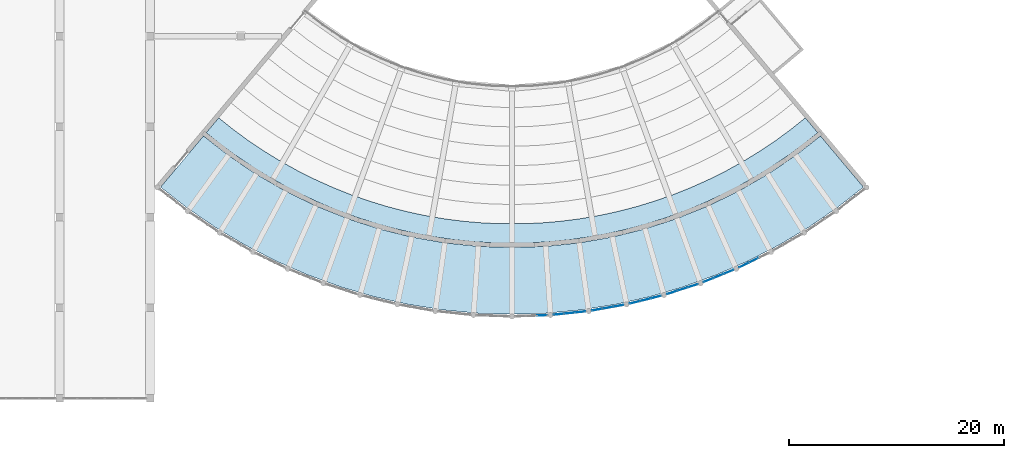
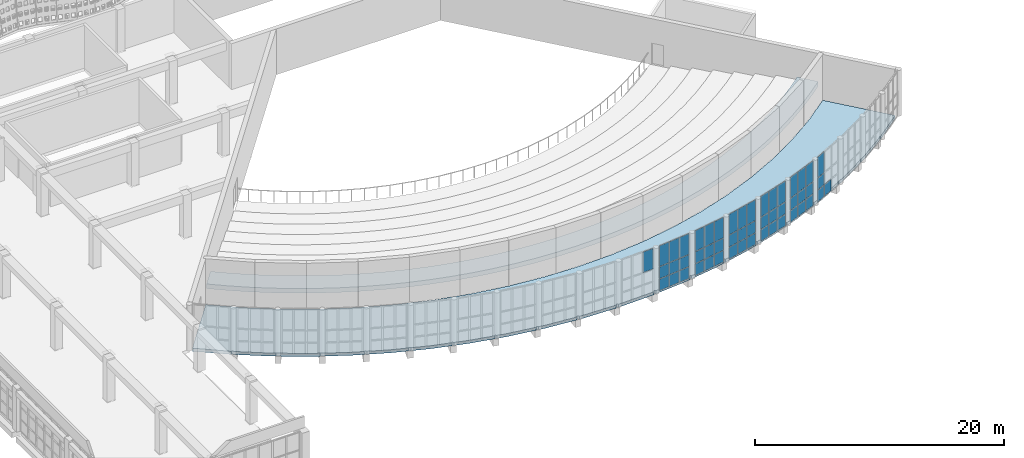
# One storey, part 71 of 162: 50 plates, 2 slabs, 7 elements without a shape of their own.
"""IFC4 building model written with IfcOpenShell, lengths in metres."""

from ifc_helpers import new_model, si_unit, direction, frame, origin, origin_2d, place, context, subcontext, project, spatial, polyline, rectangle, outline, extrude, material, layer, layer_set, type_object, element, aggregate, save


model = new_model("IFC4")

# Units and contexts
model_context = context("Model", 3, precision=1e-05, world=origin(), true_north=direction((0.0, 1.0)))
body_context = subcontext(model_context, "Body", "Model", "MODEL_VIEW")
ifc_project = project(units=[si_unit("LENGTHUNIT", "METRE"), si_unit("AREAUNIT", "SQUARE_METRE"), si_unit("VOLUMEUNIT", "CUBIC_METRE"), si_unit("PLANEANGLEUNIT", "RADIAN"), si_unit("MASSUNIT", "GRAM", prefix="KILO")], contexts=[model_context])

# Site, building, storey
site_placement = place(None, origin())
site = spatial("IfcSite", under=ifc_project, at=site_placement, CompositionType="ELEMENT")
building_placement = place(site_placement, origin())
building = spatial("IfcBuilding", under=site, at=building_placement, Name="Rain Tree Exposition and Congress Centre", CompositionType="ELEMENT")
storey_placement = place(building_placement, frame((0.0, 0.0, 6.0)))
storey = spatial("IfcBuildingStorey", under=building, at=storey_placement, Name="L01", CompositionType="ELEMENT", Elevation=6.0)

# Slabs
ifc_material_1 = material(Name="Precast concrete C50/60", Category="concrete")
ifc_layer_1 = layer(ifc_material_1, 0.449951171875)
ifc_layer_set_1 = layer_set([ifc_layer_1], Name="Precast concrete C50/60")
slab_type_1 = type_object("IfcSlabType", Name="Balcony step slab 450", PredefinedType="FLOOR", material=ifc_layer_set_1)
slab_1_placement = place(storey_placement, frame((0.0, 0.0, 1.300048828125)))
element("IfcSlab", 1, at=slab_1_placement, inside=storey, type_object=slab_type_1, Name="Upper tier row 8", ObjectType="SEATING TIER", PredefinedType="USERDEFINED", context=body_context, shape_type="SweptSolid", body=[
    extrude(outline(polyline([(228.71923828125, 32.044677734375), (229.98388671875, 33.062255859375), (228.826904296875, 34.441162109375), (227.577880859375, 33.4375), (226.126708984375, 32.368896484375), (224.63134765625, 31.362548828125), (223.0947265625, 30.42041015625), (221.52001953125, 29.544189453125), (219.9091796875, 28.7353515625), (218.265869140625, 27.995361328125), (216.5927734375, 27.325439453125), (214.892578125, 26.72705078125), (213.168701171875, 26.200927734375), (211.42431640625, 25.748291015625), (209.662109375, 25.369873046875), (207.885498046875, 25.06640625), (206.09765625, 24.838134765625), (204.302001953125, 24.685791015625), (202.501220703125, 24.609619140625), (200.69873046875, 24.609619140625), (198.898193359375, 24.685791015625), (197.102294921875, 24.838134765625), (195.314453125, 25.06640625), (193.537841796875, 25.369873046875), (191.77587890625, 25.748291015625), (190.03125, 26.200927734375), (188.307373046875, 26.72705078125), (186.607421875, 27.325439453125), (184.93408203125, 27.995361328125), (183.290771484375, 28.7353515625), (181.68017578125, 29.544189453125), (180.105224609375, 30.42041015625), (178.568603515625, 31.362548828125), (177.073486328125, 32.368896484375), (175.6220703125, 33.4375), (174.373291015625, 34.441162109375), (173.216064453125, 33.062255859375), (174.480712890625, 32.044677734375), (175.94677734375, 30.9609375), (177.456298828125, 29.938232421875), (179.00634765625, 28.978515625), (180.594482421875, 28.0830078125), (182.21826171875, 27.253662109375), (183.87451171875, 26.49169921875), (185.560791015625, 25.798095703125), (187.274169921875, 25.1748046875), (189.01171875, 24.621826171875), (190.770263671875, 24.14111328125), (192.547119140625, 23.732666015625), (194.33935546875, 23.397705078125), (196.143798828125, 23.136474609375), (197.95751953125, 22.94970703125), (199.777099609375, 22.83740234375), (201.60009765625, 22.800048828125), (203.4228515625, 22.83740234375), (205.24267578125, 22.94970703125), (207.05615234375, 23.136474609375), (208.860595703125, 23.397705078125), (210.65283203125, 23.732666015625), (212.4296875, 24.14111328125), (214.1884765625, 24.621826171875), (215.92578125, 25.1748046875), (217.63916015625, 25.798095703125), (219.325439453125, 26.49169921875), (220.981689453125, 27.253662109375), (222.60546875, 28.0830078125), (224.193603515625, 28.978515625), (225.74365234375, 29.938232421875), (227.253173828125, 30.9609375), (228.71923828125, 32.044677734375)])), origin(), (0.0, 0.0, 1.0), 0.449951171875),
])
ifc_material_2 = material(Name="Precast concrete C50/60", Category="concrete")
ifc_layer_2 = layer(ifc_material_2, 0.300048828125)
ifc_layer_set_2 = layer_set([ifc_layer_2], Name="Precast concrete C50/60")
slab_type_2 = type_object("IfcSlabType", Name="Foyer floor slab 300", PredefinedType="FLOOR", material=ifc_layer_set_2)
slab_2_placement = place(storey_placement, frame((0.0, 0.0, -0.300048828125)))
element("IfcSlab", 2, at=slab_2_placement, inside=storey, type_object=slab_type_2, Name="Promenade floor L01", PredefinedType="FLOOR", context=body_context, shape_type="SweptSolid", body=[
    extrude(outline(polyline([(177.859619140625, 29.20751953125), (175.26708984375, 30.9560546875), (172.960693359375, 32.758056640625), (168.977294921875, 28.010498046875), (168.99609375, 27.99169921875), (171.36181640625, 26.13134765625), (171.46630859375, 26.059326171875), (171.50537109375, 26.098388671875), (171.716796875, 25.88671875), (174.02734375, 24.296142578125), (174.42578125, 24.0576171875), (174.468017578125, 24.099853515625), (174.63671875, 23.931396484375), (176.803955078125, 22.6337890625), (177.516357421875, 22.2666015625), (177.56298828125, 22.31298828125), (177.708740234375, 22.167236328125), (179.680419921875, 21.15087890625), (180.72314453125, 20.694580078125), (180.775146484375, 20.74658203125), (180.90771484375, 20.61376953125), (182.645263671875, 19.853515625), (184.030029296875, 19.349365234375), (184.088623046875, 19.40771484375), (184.2138671875, 19.282470703125), (185.686279296875, 18.74658203125), (187.421142578125, 18.237060546875), (187.4873046875, 18.303466796875), (187.60888671875, 18.181884765625), (188.79150390625, 17.834716796875), (190.87939453125, 17.36328125), (190.954833984375, 17.438720703125), (191.07470703125, 17.319091796875), (191.9482421875, 17.121826171875), (194.387451171875, 16.7314453125), (194.474365234375, 16.818359375), (194.59423828125, 16.6982421875), (195.143798828125, 16.6103515625), (197.92822265625, 16.344482421875), (198.028564453125, 16.444580078125), (198.14990234375, 16.323486328125), (198.365478515625, 16.302734375), (201.48388671875, 16.203857421875), (201.60009765625, 16.320068359375), (201.71630859375, 16.203857421875), (204.834716796875, 16.302734375), (205.05029296875, 16.323486328125), (205.17138671875, 16.444580078125), (205.271728515625, 16.344482421875), (208.05615234375, 16.6103515625), (208.605712890625, 16.6982421875), (208.7255859375, 16.818359375), (208.8125, 16.7314453125), (211.251708984375, 17.121826171875), (212.125244140625, 17.319091796875), (212.2451171875, 17.438720703125), (212.32080078125, 17.36328125), (214.408447265625, 17.834716796875), (215.59130859375, 18.181884765625), (215.712646484375, 18.303466796875), (215.77880859375, 18.237060546875), (217.513671875, 18.74658203125), (218.986083984375, 19.282470703125), (219.111328125, 19.40771484375), (219.169921875, 19.349365234375), (220.5546875, 19.853515625), (222.292236328125, 20.61376953125), (222.4248046875, 20.74658203125), (222.476806640625, 20.694580078125), (223.51953125, 21.15087890625), (225.4912109375, 22.167236328125), (225.636962890625, 22.31298828125), (225.68359375, 22.2666015625), (226.39599609375, 22.6337890625), (228.563232421875, 23.931396484375), (228.73193359375, 24.099853515625), (228.774169921875, 24.0576171875), (229.172607421875, 24.296142578125), (231.483154296875, 25.88671875), (231.694580078125, 26.098388671875), (231.733642578125, 26.059326171875), (231.83837890625, 26.13134765625), (234.203857421875, 27.99169921875), (234.22265625, 28.010498046875), (230.2392578125, 32.758056640625), (227.932861328125, 30.9560546875), (225.34033203125, 29.20751953125), (222.63232421875, 27.643798828125), (219.82177734375, 26.273193359375), (216.922607421875, 25.101806640625), (213.948486328125, 24.135498046875), (210.914306640625, 23.37890625), (207.8349609375, 22.8359375), (204.72509765625, 22.509033203125), (201.60009765625, 22.39990234375), (198.474853515625, 22.509033203125), (195.364990234375, 22.8359375), (192.28564453125, 23.37890625), (189.25146484375, 24.135498046875), (186.277587890625, 25.101806640625), (183.378173828125, 26.273193359375), (180.567626953125, 27.643798828125), (177.859619140625, 29.20751953125)])), origin(), (0.0, 0.0, 1.0), 0.300048828125),
])

# Curtain wall, plate
ifc_material_3 = material(Name="Aluminium", Category="aluminium")
ifc_layer_3 = layer(ifc_material_3, 0.10009765625)
ifc_layer_set_3 = layer_set([ifc_layer_3], Name="Aluminium")
curtain_wall_type = type_object("IfcCurtainWallType", Name="Curtain wall congress", PredefinedType="NOTDEFINED", material=ifc_layer_set_3)
curtain_wall_1_placement = place(storey_placement, origin())
curtain_wall_1 = element("IfcCurtainWall", 3, at=curtain_wall_1_placement, inside=storey, type_object=curtain_wall_type, Name="Curtain wall L01 bay 11", PredefinedType="NOTDEFINED")
ifc_material_4 = material(Name="Double glazed unit", Category="glass")
ifc_layer_4 = layer(ifc_material_4, 0.028076171875)
ifc_layer_set_4 = layer_set([ifc_layer_4], Name="Double glazed unit")
plate_type = type_object("IfcPlateType", Name="Glazing panel 28 congress", PredefinedType="CURTAIN_PANEL", material=ifc_layer_set_4)
plate_1_placement = place(storey_placement, frame((204.394775390625, 16.09765625, 2.43017578125), z_axis=(0.0, 0.0, 1.0), x_axis=(0.99939052188, 0.03490823366, 0.0)))
plate_1 = element("IfcPlate", 4, at=plate_1_placement, type_object=plate_type, Name="CWG211 panel 3.3", PredefinedType="CURTAIN_PANEL", context=body_context, shape_type="SweptSolid", body=[
    extrude(rectangle(XDim=0.9345703125, YDim=0.028076171875, at=origin_2d()), origin(), (0.0, 0.0, 1.0), 2.010009765625),
])
aggregate(curtain_wall_1, [plate_1])

# Curtain wall, plates
curtain_wall_2_placement = place(storey_placement, origin())
curtain_wall_2 = element("IfcCurtainWall", 5, at=curtain_wall_2_placement, inside=storey, type_object=curtain_wall_type, Name="Curtain wall L01 bay 12", PredefinedType="NOTDEFINED")
plate_2_placement = place(storey_placement, frame((205.944580078125, 16.2060546875, 0.06005859375), z_axis=(0.0, 0.0, 1.0), x_axis=(0.994524689589, 0.104501874612, 0.0)))
plate_2 = element("IfcPlate", 6, at=plate_2_placement, type_object=plate_type, Name="CWG212 panel 1.1", PredefinedType="CURTAIN_PANEL", context=body_context, shape_type="SweptSolid", body=[
    extrude(rectangle(XDim=0.9345703125, YDim=0.028076171875, at=origin_2d()), origin(), (0.0, 0.0, 1.0), 1.110107421875),
])
plate_3_placement = place(storey_placement, frame((205.944580078125, 16.2060546875, 1.22998046875), z_axis=(0.0, 0.0, 1.0), x_axis=(0.994524689589, 0.104501874612, 0.0)))
plate_3 = element("IfcPlate", 7, at=plate_3_placement, type_object=plate_type, Name="CWG212 panel 1.2", PredefinedType="CURTAIN_PANEL", context=body_context, shape_type="SweptSolid", body=[
    extrude(rectangle(XDim=0.9345703125, YDim=0.028076171875, at=origin_2d()), origin(), (0.0, 0.0, 1.0), 1.139892578125),
])
plate_4_placement = place(storey_placement, frame((205.944580078125, 16.2060546875, 2.43017578125), z_axis=(0.0, 0.0, 1.0), x_axis=(0.994524689589, 0.104501874612, 0.0)))
plate_4 = element("IfcPlate", 8, at=plate_4_placement, type_object=plate_type, Name="CWG212 panel 1.3", PredefinedType="CURTAIN_PANEL", context=body_context, shape_type="SweptSolid", body=[
    extrude(rectangle(XDim=0.9345703125, YDim=0.028076171875, at=origin_2d()), origin(), (0.0, 0.0, 1.0), 2.010009765625),
])
plate_5_placement = place(storey_placement, frame((206.948486328125, 16.3115234375, 0.06005859375), z_axis=(0.0, 0.0, 1.0), x_axis=(0.994524689589, 0.104501874612, 0.0)))
plate_5 = element("IfcPlate", 9, at=plate_5_placement, type_object=plate_type, Name="CWG212 panel 2.1", PredefinedType="CURTAIN_PANEL", context=body_context, shape_type="SweptSolid", body=[
    extrude(rectangle(XDim=0.964599609375, YDim=0.028076171875, at=origin_2d()), origin(), (0.0, 0.0, 1.0), 1.110107421875),
])
plate_6_placement = place(storey_placement, frame((206.948486328125, 16.3115234375, 1.22998046875), z_axis=(0.0, 0.0, 1.0), x_axis=(0.994524689589, 0.104501874612, 0.0)))
plate_6 = element("IfcPlate", 10, at=plate_6_placement, type_object=plate_type, Name="CWG212 panel 2.2", PredefinedType="CURTAIN_PANEL", context=body_context, shape_type="SweptSolid", body=[
    extrude(rectangle(XDim=0.964599609375, YDim=0.028076171875, at=origin_2d()), origin(), (0.0, 0.0, 1.0), 1.139892578125),
])
plate_7_placement = place(storey_placement, frame((206.948486328125, 16.3115234375, 2.43017578125), z_axis=(0.0, 0.0, 1.0), x_axis=(0.994524689589, 0.104501874612, 0.0)))
plate_7 = element("IfcPlate", 11, at=plate_7_placement, type_object=plate_type, Name="CWG212 panel 2.3", PredefinedType="CURTAIN_PANEL", context=body_context, shape_type="SweptSolid", body=[
    extrude(rectangle(XDim=0.964599609375, YDim=0.028076171875, at=origin_2d()), origin(), (0.0, 0.0, 1.0), 2.010009765625),
])
plate_8_placement = place(storey_placement, frame((207.95263671875, 16.4169921875, 0.06005859375), z_axis=(0.0, 0.0, 1.0), x_axis=(0.994524689589, 0.104501874612, 0.0)))
plate_8 = element("IfcPlate", 12, at=plate_8_placement, type_object=plate_type, Name="CWG212 panel 3.1", PredefinedType="CURTAIN_PANEL", context=body_context, shape_type="SweptSolid", body=[
    extrude(rectangle(XDim=0.9345703125, YDim=0.028076171875, at=origin_2d()), origin(), (0.0, 0.0, 1.0), 1.110107421875),
])
plate_9_placement = place(storey_placement, frame((207.95263671875, 16.4169921875, 1.22998046875), z_axis=(0.0, 0.0, 1.0), x_axis=(0.994524689589, 0.104501874612, 0.0)))
plate_9 = element("IfcPlate", 13, at=plate_9_placement, type_object=plate_type, Name="CWG212 panel 3.2", PredefinedType="CURTAIN_PANEL", context=body_context, shape_type="SweptSolid", body=[
    extrude(rectangle(XDim=0.9345703125, YDim=0.028076171875, at=origin_2d()), origin(), (0.0, 0.0, 1.0), 1.139892578125),
])
plate_10_placement = place(storey_placement, frame((207.95263671875, 16.4169921875, 2.43017578125), z_axis=(0.0, 0.0, 1.0), x_axis=(0.994524689589, 0.104501874612, 0.0)))
plate_10 = element("IfcPlate", 14, at=plate_10_placement, type_object=plate_type, Name="CWG212 panel 3.3", PredefinedType="CURTAIN_PANEL", context=body_context, shape_type="SweptSolid", body=[
    extrude(rectangle(XDim=0.9345703125, YDim=0.028076171875, at=origin_2d()), origin(), (0.0, 0.0, 1.0), 2.010009765625),
])
aggregate(curtain_wall_2, [plate_2, plate_3, plate_4, plate_5, plate_6, plate_7, plate_8, plate_9, plate_10])

curtain_wall_3_placement = place(storey_placement, origin())
curtain_wall_3 = element("IfcCurtainWall", 15, at=curtain_wall_3_placement, inside=storey, type_object=curtain_wall_type, Name="Curtain wall L01 bay 13", PredefinedType="NOTDEFINED")
plate_11_placement = place(storey_placement, frame((209.4912109375, 16.63330078125, 0.06005859375), z_axis=(0.0, 0.0, 1.0), x_axis=(0.984810076905, 0.173634997701, 0.0)))
plate_11 = element("IfcPlate", 16, at=plate_11_placement, type_object=plate_type, Name="CWG213 panel 1.1", PredefinedType="CURTAIN_PANEL", context=body_context, shape_type="SweptSolid", body=[
    extrude(rectangle(XDim=0.9345703125, YDim=0.028076171875, at=origin_2d()), origin(), (0.0, 0.0, 1.0), 1.110107421875),
])
plate_12_placement = place(storey_placement, frame((209.4912109375, 16.63330078125, 1.22998046875), z_axis=(0.0, 0.0, 1.0), x_axis=(0.984810076905, 0.173634997701, 0.0)))
plate_12 = element("IfcPlate", 17, at=plate_12_placement, type_object=plate_type, Name="CWG213 panel 1.2", PredefinedType="CURTAIN_PANEL", context=body_context, shape_type="SweptSolid", body=[
    extrude(rectangle(XDim=0.9345703125, YDim=0.028076171875, at=origin_2d()), origin(), (0.0, 0.0, 1.0), 1.139892578125),
])
plate_13_placement = place(storey_placement, frame((209.4912109375, 16.63330078125, 2.43017578125), z_axis=(0.0, 0.0, 1.0), x_axis=(0.984810076905, 0.173634997701, 0.0)))
plate_13 = element("IfcPlate", 18, at=plate_13_placement, type_object=plate_type, Name="CWG213 panel 1.3", PredefinedType="CURTAIN_PANEL", context=body_context, shape_type="SweptSolid", body=[
    extrude(rectangle(XDim=0.9345703125, YDim=0.028076171875, at=origin_2d()), origin(), (0.0, 0.0, 1.0), 2.010009765625),
])
plate_14_placement = place(storey_placement, frame((210.4853515625, 16.80859375, 0.06005859375), z_axis=(0.0, 0.0, 1.0), x_axis=(0.984810076905, 0.173634997701, 0.0)))
plate_14 = element("IfcPlate", 19, at=plate_14_placement, type_object=plate_type, Name="CWG213 panel 2.1", PredefinedType="CURTAIN_PANEL", context=body_context, shape_type="SweptSolid", body=[
    extrude(rectangle(XDim=0.964599609375, YDim=0.028076171875, at=origin_2d()), origin(), (0.0, 0.0, 1.0), 1.110107421875),
])
plate_15_placement = place(storey_placement, frame((210.4853515625, 16.80859375, 1.22998046875), z_axis=(0.0, 0.0, 1.0), x_axis=(0.984810076905, 0.173634997701, 0.0)))
plate_15 = element("IfcPlate", 20, at=plate_15_placement, type_object=plate_type, Name="CWG213 panel 2.2", PredefinedType="CURTAIN_PANEL", context=body_context, shape_type="SweptSolid", body=[
    extrude(rectangle(XDim=0.964599609375, YDim=0.028076171875, at=origin_2d()), origin(), (0.0, 0.0, 1.0), 1.139892578125),
])
plate_16_placement = place(storey_placement, frame((210.4853515625, 16.80859375, 2.43017578125), z_axis=(0.0, 0.0, 1.0), x_axis=(0.984810076905, 0.173634997701, 0.0)))
plate_16 = element("IfcPlate", 21, at=plate_16_placement, type_object=plate_type, Name="CWG213 panel 2.3", PredefinedType="CURTAIN_PANEL", context=body_context, shape_type="SweptSolid", body=[
    extrude(rectangle(XDim=0.964599609375, YDim=0.028076171875, at=origin_2d()), origin(), (0.0, 0.0, 1.0), 2.010009765625),
])
plate_17_placement = place(storey_placement, frame((211.479736328125, 16.98388671875, 0.06005859375), z_axis=(0.0, 0.0, 1.0), x_axis=(0.984810076905, 0.173634997701, 0.0)))
plate_17 = element("IfcPlate", 22, at=plate_17_placement, type_object=plate_type, Name="CWG213 panel 3.1", PredefinedType="CURTAIN_PANEL", context=body_context, shape_type="SweptSolid", body=[
    extrude(rectangle(XDim=0.9345703125, YDim=0.028076171875, at=origin_2d()), origin(), (0.0, 0.0, 1.0), 1.110107421875),
])
plate_18_placement = place(storey_placement, frame((211.479736328125, 16.98388671875, 1.22998046875), z_axis=(0.0, 0.0, 1.0), x_axis=(0.984810076905, 0.173634997701, 0.0)))
plate_18 = element("IfcPlate", 23, at=plate_18_placement, type_object=plate_type, Name="CWG213 panel 3.2", PredefinedType="CURTAIN_PANEL", context=body_context, shape_type="SweptSolid", body=[
    extrude(rectangle(XDim=0.9345703125, YDim=0.028076171875, at=origin_2d()), origin(), (0.0, 0.0, 1.0), 1.139892578125),
])
plate_19_placement = place(storey_placement, frame((211.479736328125, 16.98388671875, 2.43017578125), z_axis=(0.0, 0.0, 1.0), x_axis=(0.984810076905, 0.173634997701, 0.0)))
plate_19 = element("IfcPlate", 24, at=plate_19_placement, type_object=plate_type, Name="CWG213 panel 3.3", PredefinedType="CURTAIN_PANEL", context=body_context, shape_type="SweptSolid", body=[
    extrude(rectangle(XDim=0.9345703125, YDim=0.028076171875, at=origin_2d()), origin(), (0.0, 0.0, 1.0), 2.010009765625),
])
aggregate(curtain_wall_3, [plate_11, plate_12, plate_13, plate_14, plate_15, plate_16, plate_17, plate_18, plate_19])

curtain_wall_4_placement = place(storey_placement, origin())
curtain_wall_4 = element("IfcCurtainWall", 25, at=curtain_wall_4_placement, inside=storey, type_object=curtain_wall_type, Name="Curtain wall L01 bay 14", PredefinedType="NOTDEFINED")
plate_20_placement = place(storey_placement, frame((212.999267578125, 17.306884765625, 0.06005859375), z_axis=(0.0, 0.0, 1.0), x_axis=(0.970295408249, 0.241923171133, 0.0)))
plate_20 = element("IfcPlate", 26, at=plate_20_placement, type_object=plate_type, Name="CWG214 panel 1.1", PredefinedType="CURTAIN_PANEL", context=body_context, shape_type="SweptSolid", body=[
    extrude(rectangle(XDim=0.9345703125, YDim=0.028076171875, at=origin_2d()), origin(), (0.0, 0.0, 1.0), 1.110107421875),
])
plate_21_placement = place(storey_placement, frame((212.999267578125, 17.306884765625, 1.22998046875), z_axis=(0.0, 0.0, 1.0), x_axis=(0.970295408249, 0.241923171133, 0.0)))
plate_21 = element("IfcPlate", 27, at=plate_21_placement, type_object=plate_type, Name="CWG214 panel 1.2", PredefinedType="CURTAIN_PANEL", context=body_context, shape_type="SweptSolid", body=[
    extrude(rectangle(XDim=0.9345703125, YDim=0.028076171875, at=origin_2d()), origin(), (0.0, 0.0, 1.0), 1.139892578125),
])
plate_22_placement = place(storey_placement, frame((212.999267578125, 17.306884765625, 2.43017578125), z_axis=(0.0, 0.0, 1.0), x_axis=(0.970295408249, 0.241923171133, 0.0)))
plate_22 = element("IfcPlate", 28, at=plate_22_placement, type_object=plate_type, Name="CWG214 panel 1.3", PredefinedType="CURTAIN_PANEL", context=body_context, shape_type="SweptSolid", body=[
    extrude(rectangle(XDim=0.9345703125, YDim=0.028076171875, at=origin_2d()), origin(), (0.0, 0.0, 1.0), 2.010009765625),
])
plate_23_placement = place(storey_placement, frame((213.97900390625, 17.551025390625, 0.06005859375), z_axis=(0.0, 0.0, 1.0), x_axis=(0.970295408249, 0.241923171133, 0.0)))
plate_23 = element("IfcPlate", 29, at=plate_23_placement, type_object=plate_type, Name="CWG214 panel 2.1", PredefinedType="CURTAIN_PANEL", context=body_context, shape_type="SweptSolid", body=[
    extrude(rectangle(XDim=0.964599609375, YDim=0.028076171875, at=origin_2d()), origin(), (0.0, 0.0, 1.0), 1.110107421875),
])
plate_24_placement = place(storey_placement, frame((213.97900390625, 17.551025390625, 1.22998046875), z_axis=(0.0, 0.0, 1.0), x_axis=(0.970295408249, 0.241923171133, 0.0)))
plate_24 = element("IfcPlate", 30, at=plate_24_placement, type_object=plate_type, Name="CWG214 panel 2.2", PredefinedType="CURTAIN_PANEL", context=body_context, shape_type="SweptSolid", body=[
    extrude(rectangle(XDim=0.964599609375, YDim=0.028076171875, at=origin_2d()), origin(), (0.0, 0.0, 1.0), 1.139892578125),
])
plate_25_placement = place(storey_placement, frame((213.97900390625, 17.551025390625, 2.43017578125), z_axis=(0.0, 0.0, 1.0), x_axis=(0.970295408249, 0.241923171133, 0.0)))
plate_25 = element("IfcPlate", 31, at=plate_25_placement, type_object=plate_type, Name="CWG214 panel 2.3", PredefinedType="CURTAIN_PANEL", context=body_context, shape_type="SweptSolid", body=[
    extrude(rectangle(XDim=0.964599609375, YDim=0.028076171875, at=origin_2d()), origin(), (0.0, 0.0, 1.0), 2.010009765625),
])
plate_26_placement = place(storey_placement, frame((214.95849609375, 17.79541015625, 0.06005859375), z_axis=(0.0, 0.0, 1.0), x_axis=(0.970295408249, 0.241923171133, 0.0)))
plate_26 = element("IfcPlate", 32, at=plate_26_placement, type_object=plate_type, Name="CWG214 panel 3.1", PredefinedType="CURTAIN_PANEL", context=body_context, shape_type="SweptSolid", body=[
    extrude(rectangle(XDim=0.9345703125, YDim=0.028076171875, at=origin_2d()), origin(), (0.0, 0.0, 1.0), 1.110107421875),
])
plate_27_placement = place(storey_placement, frame((214.95849609375, 17.79541015625, 1.22998046875), z_axis=(0.0, 0.0, 1.0), x_axis=(0.970295408249, 0.241923171133, 0.0)))
plate_27 = element("IfcPlate", 33, at=plate_27_placement, type_object=plate_type, Name="CWG214 panel 3.2", PredefinedType="CURTAIN_PANEL", context=body_context, shape_type="SweptSolid", body=[
    extrude(rectangle(XDim=0.9345703125, YDim=0.028076171875, at=origin_2d()), origin(), (0.0, 0.0, 1.0), 1.139892578125),
])
plate_28_placement = place(storey_placement, frame((214.95849609375, 17.79541015625, 2.43017578125), z_axis=(0.0, 0.0, 1.0), x_axis=(0.970295408249, 0.241923171133, 0.0)))
plate_28 = element("IfcPlate", 34, at=plate_28_placement, type_object=plate_type, Name="CWG214 panel 3.3", PredefinedType="CURTAIN_PANEL", context=body_context, shape_type="SweptSolid", body=[
    extrude(rectangle(XDim=0.9345703125, YDim=0.028076171875, at=origin_2d()), origin(), (0.0, 0.0, 1.0), 2.010009765625),
])
aggregate(curtain_wall_4, [plate_20, plate_21, plate_22, plate_23, plate_24, plate_25, plate_26, plate_27, plate_28])

curtain_wall_5_placement = place(storey_placement, origin())
curtain_wall_5 = element("IfcCurtainWall", 35, at=curtain_wall_5_placement, inside=storey, type_object=curtain_wall_type, Name="Curtain wall L01 bay 15", PredefinedType="NOTDEFINED")
plate_29_placement = place(storey_placement, frame((216.451904296875, 18.2236328125, 0.06005859375), z_axis=(0.0, 0.0, 1.0), x_axis=(0.95106012548, 0.309005886225, 0.0)))
plate_29 = element("IfcPlate", 36, at=plate_29_placement, type_object=plate_type, Name="CWG215 panel 1.1", PredefinedType="CURTAIN_PANEL", context=body_context, shape_type="SweptSolid", body=[
    extrude(rectangle(XDim=0.9345703125, YDim=0.028076171875, at=origin_2d()), origin(), (0.0, 0.0, 1.0), 1.110107421875),
])
plate_30_placement = place(storey_placement, frame((216.451904296875, 18.2236328125, 1.22998046875), z_axis=(0.0, 0.0, 1.0), x_axis=(0.95106012548, 0.309005886225, 0.0)))
plate_30 = element("IfcPlate", 37, at=plate_30_placement, type_object=plate_type, Name="CWG215 panel 1.2", PredefinedType="CURTAIN_PANEL", context=body_context, shape_type="SweptSolid", body=[
    extrude(rectangle(XDim=0.9345703125, YDim=0.028076171875, at=origin_2d()), origin(), (0.0, 0.0, 1.0), 1.139892578125),
])
plate_31_placement = place(storey_placement, frame((216.451904296875, 18.2236328125, 2.43017578125), z_axis=(0.0, 0.0, 1.0), x_axis=(0.95106012548, 0.309005886225, 0.0)))
plate_31 = element("IfcPlate", 38, at=plate_31_placement, type_object=plate_type, Name="CWG215 panel 1.3", PredefinedType="CURTAIN_PANEL", context=body_context, shape_type="SweptSolid", body=[
    extrude(rectangle(XDim=0.9345703125, YDim=0.028076171875, at=origin_2d()), origin(), (0.0, 0.0, 1.0), 2.010009765625),
])
plate_32_placement = place(storey_placement, frame((217.412109375, 18.53564453125, 0.06005859375), z_axis=(0.0, 0.0, 1.0), x_axis=(0.95106012548, 0.309005886225, 0.0)))
plate_32 = element("IfcPlate", 39, at=plate_32_placement, type_object=plate_type, Name="CWG215 panel 2.1", PredefinedType="CURTAIN_PANEL", context=body_context, shape_type="SweptSolid", body=[
    extrude(rectangle(XDim=0.964599609375, YDim=0.028076171875, at=origin_2d()), origin(), (0.0, 0.0, 1.0), 1.110107421875),
])
plate_33_placement = place(storey_placement, frame((217.412109375, 18.53564453125, 1.22998046875), z_axis=(0.0, 0.0, 1.0), x_axis=(0.95106012548, 0.309005886225, 0.0)))
plate_33 = element("IfcPlate", 40, at=plate_33_placement, type_object=plate_type, Name="CWG215 panel 2.2", PredefinedType="CURTAIN_PANEL", context=body_context, shape_type="SweptSolid", body=[
    extrude(rectangle(XDim=0.964599609375, YDim=0.028076171875, at=origin_2d()), origin(), (0.0, 0.0, 1.0), 1.139892578125),
])
plate_34_placement = place(storey_placement, frame((217.412109375, 18.53564453125, 2.43017578125), z_axis=(0.0, 0.0, 1.0), x_axis=(0.95106012548, 0.309005886225, 0.0)))
plate_34 = element("IfcPlate", 41, at=plate_34_placement, type_object=plate_type, Name="CWG215 panel 2.3", PredefinedType="CURTAIN_PANEL", context=body_context, shape_type="SweptSolid", body=[
    extrude(rectangle(XDim=0.964599609375, YDim=0.028076171875, at=origin_2d()), origin(), (0.0, 0.0, 1.0), 2.010009765625),
])
plate_35_placement = place(storey_placement, frame((218.372314453125, 18.84765625, 0.06005859375), z_axis=(0.0, 0.0, 1.0), x_axis=(0.95106012548, 0.309005886225, 0.0)))
plate_35 = element("IfcPlate", 42, at=plate_35_placement, type_object=plate_type, Name="CWG215 panel 3.1", PredefinedType="CURTAIN_PANEL", context=body_context, shape_type="SweptSolid", body=[
    extrude(rectangle(XDim=0.9345703125, YDim=0.028076171875, at=origin_2d()), origin(), (0.0, 0.0, 1.0), 1.110107421875),
])
plate_36_placement = place(storey_placement, frame((218.372314453125, 18.84765625, 1.22998046875), z_axis=(0.0, 0.0, 1.0), x_axis=(0.95106012548, 0.309005886225, 0.0)))
plate_36 = element("IfcPlate", 43, at=plate_36_placement, type_object=plate_type, Name="CWG215 panel 3.2", PredefinedType="CURTAIN_PANEL", context=body_context, shape_type="SweptSolid", body=[
    extrude(rectangle(XDim=0.9345703125, YDim=0.028076171875, at=origin_2d()), origin(), (0.0, 0.0, 1.0), 1.139892578125),
])
plate_37_placement = place(storey_placement, frame((218.372314453125, 18.84765625, 2.43017578125), z_axis=(0.0, 0.0, 1.0), x_axis=(0.95106012548, 0.309005886225, 0.0)))
plate_37 = element("IfcPlate", 44, at=plate_37_placement, type_object=plate_type, Name="CWG215 panel 3.3", PredefinedType="CURTAIN_PANEL", context=body_context, shape_type="SweptSolid", body=[
    extrude(rectangle(XDim=0.9345703125, YDim=0.028076171875, at=origin_2d()), origin(), (0.0, 0.0, 1.0), 2.010009765625),
])
aggregate(curtain_wall_5, [plate_29, plate_30, plate_31, plate_32, plate_33, plate_34, plate_35, plate_36, plate_37])

curtain_wall_6_placement = place(storey_placement, origin())
curtain_wall_6 = element("IfcCurtainWall", 45, at=curtain_wall_6_placement, inside=storey, type_object=curtain_wall_type, Name="Curtain wall L01 bay 16", PredefinedType="NOTDEFINED")
plate_38_placement = place(storey_placement, frame((219.83203125, 19.37890625, 0.06005859375), z_axis=(0.0, 0.0, 1.0), x_axis=(0.92718773506, 0.374596988714, 0.0)))
plate_38 = element("IfcPlate", 46, at=plate_38_placement, type_object=plate_type, Name="CWG216 panel 1.1", PredefinedType="CURTAIN_PANEL", context=body_context, shape_type="SweptSolid", body=[
    extrude(rectangle(XDim=0.9345703125, YDim=0.028076171875, at=origin_2d()), origin(), (0.0, 0.0, 1.0), 1.110107421875),
])
plate_39_placement = place(storey_placement, frame((219.83203125, 19.37890625, 1.22998046875), z_axis=(0.0, 0.0, 1.0), x_axis=(0.92718773506, 0.374596988714, 0.0)))
plate_39 = element("IfcPlate", 47, at=plate_39_placement, type_object=plate_type, Name="CWG216 panel 1.2", PredefinedType="CURTAIN_PANEL", context=body_context, shape_type="SweptSolid", body=[
    extrude(rectangle(XDim=0.9345703125, YDim=0.028076171875, at=origin_2d()), origin(), (0.0, 0.0, 1.0), 1.139892578125),
])
plate_40_placement = place(storey_placement, frame((219.83203125, 19.37890625, 2.43017578125), z_axis=(0.0, 0.0, 1.0), x_axis=(0.92718773506, 0.374596988714, 0.0)))
plate_40 = element("IfcPlate", 48, at=plate_40_placement, type_object=plate_type, Name="CWG216 panel 1.3", PredefinedType="CURTAIN_PANEL", context=body_context, shape_type="SweptSolid", body=[
    extrude(rectangle(XDim=0.9345703125, YDim=0.028076171875, at=origin_2d()), origin(), (0.0, 0.0, 1.0), 2.010009765625),
])
plate_41_placement = place(storey_placement, frame((220.76806640625, 19.757080078125, 0.06005859375), z_axis=(0.0, 0.0, 1.0), x_axis=(0.92718773506, 0.374596988714, 0.0)))
plate_41 = element("IfcPlate", 49, at=plate_41_placement, type_object=plate_type, Name="CWG216 panel 2.1", PredefinedType="CURTAIN_PANEL", context=body_context, shape_type="SweptSolid", body=[
    extrude(rectangle(XDim=0.964599609375, YDim=0.028076171875, at=origin_2d()), origin(), (0.0, 0.0, 1.0), 1.110107421875),
])
plate_42_placement = place(storey_placement, frame((220.76806640625, 19.757080078125, 1.22998046875), z_axis=(0.0, 0.0, 1.0), x_axis=(0.92718773506, 0.374596988714, 0.0)))
plate_42 = element("IfcPlate", 50, at=plate_42_placement, type_object=plate_type, Name="CWG216 panel 2.2", PredefinedType="CURTAIN_PANEL", context=body_context, shape_type="SweptSolid", body=[
    extrude(rectangle(XDim=0.964599609375, YDim=0.028076171875, at=origin_2d()), origin(), (0.0, 0.0, 1.0), 1.139892578125),
])
plate_43_placement = place(storey_placement, frame((220.76806640625, 19.757080078125, 2.43017578125), z_axis=(0.0, 0.0, 1.0), x_axis=(0.92718773506, 0.374596988714, 0.0)))
plate_43 = element("IfcPlate", 51, at=plate_43_placement, type_object=plate_type, Name="CWG216 panel 2.3", PredefinedType="CURTAIN_PANEL", context=body_context, shape_type="SweptSolid", body=[
    extrude(rectangle(XDim=0.964599609375, YDim=0.028076171875, at=origin_2d()), origin(), (0.0, 0.0, 1.0), 2.010009765625),
])
plate_44_placement = place(storey_placement, frame((221.7041015625, 20.13525390625, 0.06005859375), z_axis=(0.0, 0.0, 1.0), x_axis=(0.92718773506, 0.374596988714, 0.0)))
plate_44 = element("IfcPlate", 52, at=plate_44_placement, type_object=plate_type, Name="CWG216 panel 3.1", PredefinedType="CURTAIN_PANEL", context=body_context, shape_type="SweptSolid", body=[
    extrude(rectangle(XDim=0.9345703125, YDim=0.028076171875, at=origin_2d()), origin(), (0.0, 0.0, 1.0), 1.110107421875),
])
plate_45_placement = place(storey_placement, frame((221.7041015625, 20.13525390625, 1.22998046875), z_axis=(0.0, 0.0, 1.0), x_axis=(0.92718773506, 0.374596988714, 0.0)))
plate_45 = element("IfcPlate", 53, at=plate_45_placement, type_object=plate_type, Name="CWG216 panel 3.2", PredefinedType="CURTAIN_PANEL", context=body_context, shape_type="SweptSolid", body=[
    extrude(rectangle(XDim=0.9345703125, YDim=0.028076171875, at=origin_2d()), origin(), (0.0, 0.0, 1.0), 1.139892578125),
])
plate_46_placement = place(storey_placement, frame((221.7041015625, 20.13525390625, 2.43017578125), z_axis=(0.0, 0.0, 1.0), x_axis=(0.92718773506, 0.374596988714, 0.0)))
plate_46 = element("IfcPlate", 54, at=plate_46_placement, type_object=plate_type, Name="CWG216 panel 3.3", PredefinedType="CURTAIN_PANEL", context=body_context, shape_type="SweptSolid", body=[
    extrude(rectangle(XDim=0.9345703125, YDim=0.028076171875, at=origin_2d()), origin(), (0.0, 0.0, 1.0), 2.010009765625),
])
aggregate(curtain_wall_6, [plate_38, plate_39, plate_40, plate_41, plate_42, plate_43, plate_44, plate_45, plate_46])

curtain_wall_7_placement = place(storey_placement, origin())
curtain_wall_7 = element("IfcCurtainWall", 55, at=curtain_wall_7_placement, inside=storey, type_object=curtain_wall_type, Name="Curtain wall L01 bay 17", PredefinedType="NOTDEFINED")
plate_47_placement = place(storey_placement, frame((223.12353515625, 20.767333984375, 0.06005859375), z_axis=(0.0, 0.0, 1.0), x_axis=(0.898795334475, 0.438368505628, 0.0)))
plate_47 = element("IfcPlate", 56, at=plate_47_placement, type_object=plate_type, Name="CWG217 panel 1.1", PredefinedType="CURTAIN_PANEL", context=body_context, shape_type="SweptSolid", body=[
    extrude(rectangle(XDim=0.9345703125, YDim=0.028076171875, at=origin_2d()), origin(), (0.0, 0.0, 1.0), 1.110107421875),
])
plate_48_placement = place(storey_placement, frame((223.12353515625, 20.767333984375, 1.22998046875), z_axis=(0.0, 0.0, 1.0), x_axis=(0.898795334475, 0.438368505628, 0.0)))
plate_48 = element("IfcPlate", 57, at=plate_48_placement, type_object=plate_type, Name="CWG217 panel 1.2", PredefinedType="CURTAIN_PANEL", context=body_context, shape_type="SweptSolid", body=[
    extrude(rectangle(XDim=0.9345703125, YDim=0.028076171875, at=origin_2d()), origin(), (0.0, 0.0, 1.0), 1.139892578125),
])
plate_49_placement = place(storey_placement, frame((223.12353515625, 20.767333984375, 2.43017578125), z_axis=(0.0, 0.0, 1.0), x_axis=(0.898795334475, 0.438368505628, 0.0)))
plate_49 = element("IfcPlate", 58, at=plate_49_placement, type_object=plate_type, Name="CWG217 panel 1.3", PredefinedType="CURTAIN_PANEL", context=body_context, shape_type="SweptSolid", body=[
    extrude(rectangle(XDim=0.9345703125, YDim=0.028076171875, at=origin_2d()), origin(), (0.0, 0.0, 1.0), 2.010009765625),
])
plate_50_placement = place(storey_placement, frame((224.031005859375, 21.209716796875, 0.06005859375), z_axis=(0.0, 0.0, 1.0), x_axis=(0.898795334475, 0.438368505628, 0.0)))
plate_50 = element("IfcPlate", 59, at=plate_50_placement, type_object=plate_type, Name="CWG217 panel 2.1", PredefinedType="CURTAIN_PANEL", context=body_context, shape_type="SweptSolid", body=[
    extrude(rectangle(XDim=0.964599609375, YDim=0.028076171875, at=origin_2d()), origin(), (0.0, 0.0, 1.0), 1.110107421875),
])
aggregate(curtain_wall_7, [plate_47, plate_48, plate_49, plate_50])

save(model, "model.ifc")
